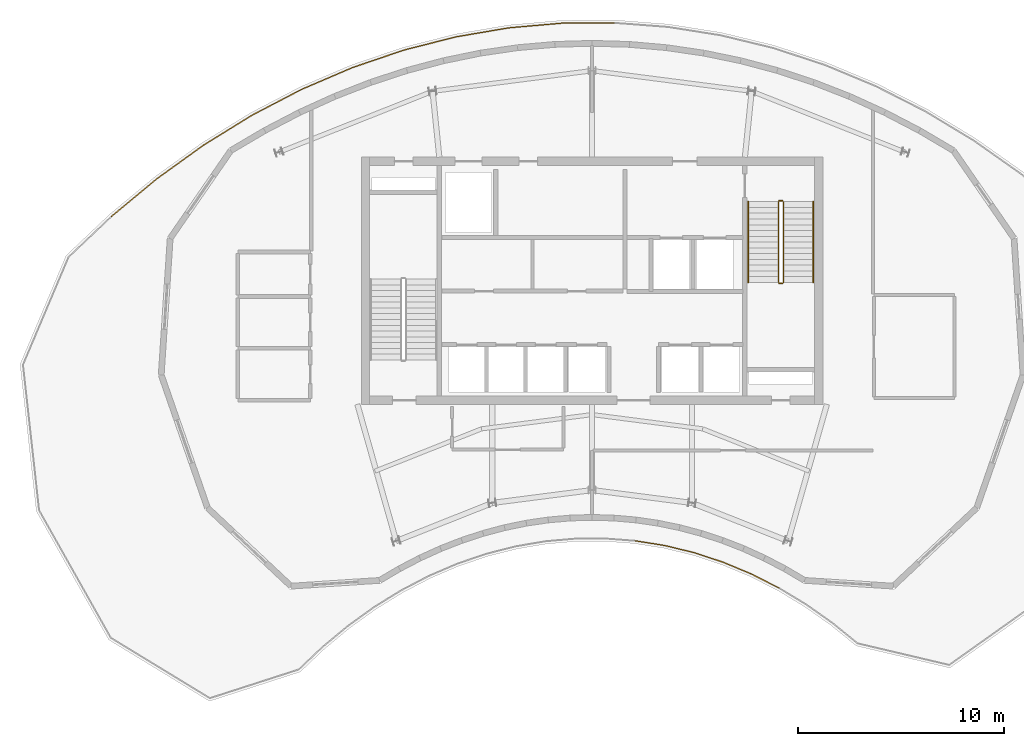
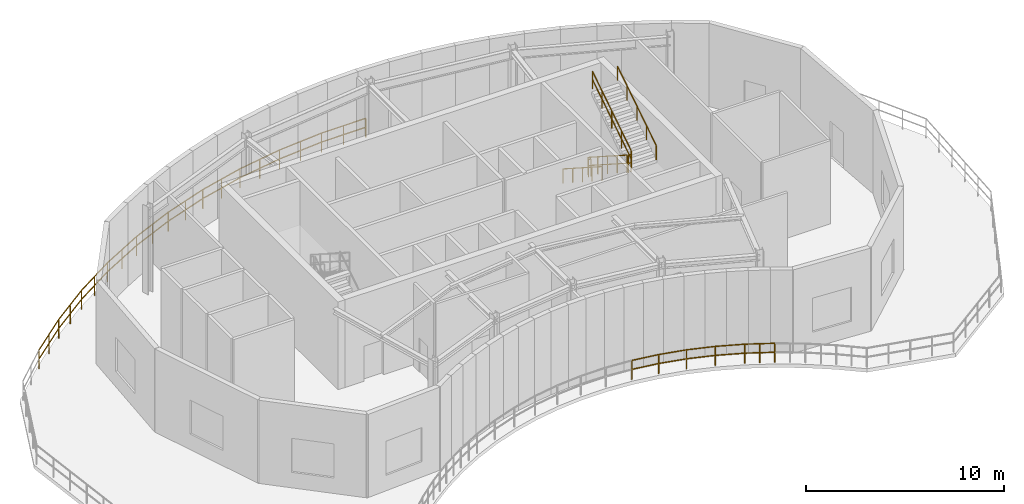
# One storey, part 7 of 8: 8 railings.
"""IFC4 building model written with IfcOpenShell, lengths in metres."""

from ifc_helpers import new_model, si_unit, direction, frame, origin, origin_2d, place, context, subcontext, project, spatial, rectangle, extrude, material, type_object, element, save


model = new_model("IFC4")

# Units and contexts
model_context = context("Model", 3, precision=1e-05, world=origin(), true_north=direction((0.0, 1.0)))
body_context = subcontext(model_context, "Body", "Model", "MODEL_VIEW")
ifc_project = project(units=[si_unit("LENGTHUNIT", "METRE"), si_unit("AREAUNIT", "SQUARE_METRE"), si_unit("VOLUMEUNIT", "CUBIC_METRE"), si_unit("PLANEANGLEUNIT", "RADIAN"), si_unit("MASSUNIT", "GRAM", prefix="KILO")], contexts=[model_context])

# Site, building, storey
site_placement = place(None, origin())
site = spatial("IfcSite", under=ifc_project, at=site_placement, CompositionType="ELEMENT")
building_placement = place(site_placement, origin())
building = spatial("IfcBuilding", under=site, at=building_placement, Name="Breltana Convention Tower", CompositionType="ELEMENT")
storey_placement = place(building_placement, frame((0.0, 0.0, 312.60009765625)))
storey = spatial("IfcBuildingStorey", under=building, at=storey_placement, Name="L76", CompositionType="ELEMENT", Elevation=312.60009765625)

# Railings
ifc_material_1 = material(Name="Stainless Steel 316L", Category="steel")
railing_type_1 = type_object("IfcRailingType", Name="RL-LOOKOUT-1200", PredefinedType="BALUSTRADE", material=ifc_material_1)
railing_1_placement = place(storey_placement, frame((57.084716796875, 51.27490234375, 0.0)))
element("IfcRailing", 1, at=railing_1_placement, inside=storey, type_object=railing_type_1, Name="L76 perimeter balustrade 2", PredefinedType="BALUSTRADE", context=body_context, shape_type="SweptSolid", body=[
    extrude(rectangle(XDim=0.048095703125, YDim=0.048095703125, at=origin_2d()), frame((0.0, 0.0, 1.17578125), z_axis=(-0.879706513576, 0.475517034365, 0.0), x_axis=(-0.475517034365, -0.879706513576, 0.0)), (0.0, 0.0, 1.0), 0.01025390625),
    extrude(rectangle(XDim=0.048095703125, YDim=0.048095703125, at=origin_2d()), frame((0.0, 0.0, 0.6240234375), z_axis=(-0.879706513576, 0.475517034365, 0.0), x_axis=(-0.475517034365, -0.879706513576, 0.0)), (0.0, 0.0, 1.0), 0.01025390625),
    extrude(rectangle(XDim=0.048095703125, YDim=0.048095703125, at=origin_2d()), frame((-0.009033203125, 0.0048828125, 1.17578125), z_axis=(-0.891757205906, 0.452514182888, 0.0), x_axis=(-0.452514182888, -0.891757205906, 0.0)), (0.0, 0.0, 1.0), 1.508544921875),
    extrude(rectangle(XDim=0.048095703125, YDim=0.048095703125, at=origin_2d()), frame((-0.009033203125, 0.0048828125, 0.6240234375), z_axis=(-0.891757205906, 0.452514182888, 0.0), x_axis=(-0.452514182888, -0.891757205906, 0.0)), (0.0, 0.0, 1.0), 1.508544921875),
    extrude(rectangle(XDim=0.048095703125, YDim=0.048095703125, at=origin_2d()), frame((-1.354248046875, 0.6875, 1.17578125), z_axis=(-0.898989868837, 0.43796942328, 0.0), x_axis=(-0.43796942328, -0.898989868837, 0.0)), (0.0, 0.0, 1.0), 0.010498046875),
    extrude(rectangle(XDim=0.048095703125, YDim=0.048095703125, at=origin_2d()), frame((-1.354248046875, 0.6875, 0.6240234375), z_axis=(-0.898989868837, 0.43796942328, 0.0), x_axis=(-0.43796942328, -0.898989868837, 0.0)), (0.0, 0.0, 1.0), 0.010498046875),
    extrude(rectangle(XDim=0.048095703125, YDim=0.048095703125, at=origin_2d()), frame((-1.36376953125, 0.692138671875, 1.17578125), z_axis=(-0.923261314935, 0.384172545017, 0.0), x_axis=(-0.384172545017, -0.923261314935, 0.0)), (0.0, 0.0, 1.0), 1.48779296875),
    extrude(rectangle(XDim=0.048095703125, YDim=0.048095703125, at=origin_2d()), frame((-1.36376953125, 0.692138671875, 0.6240234375), z_axis=(-0.923261314935, 0.384172545017, 0.0), x_axis=(-0.384172545017, -0.923261314935, 0.0)), (0.0, 0.0, 1.0), 1.48779296875),
    extrude(rectangle(XDim=0.048095703125, YDim=0.048095703125, at=origin_2d()), frame((-2.7373046875, 1.263671875, 1.17578125), z_axis=(-0.941741911595, 0.336336396998, 0.0), x_axis=(-0.336336396998, -0.941741911595, 0.0)), (0.0, 0.0, 1.0), 0.010986328125),
    extrude(rectangle(XDim=0.048095703125, YDim=0.048095703125, at=origin_2d()), frame((-2.7373046875, 1.263671875, 0.6240234375), z_axis=(-0.941741911595, 0.336336396998, 0.0), x_axis=(-0.336336396998, -0.941741911595, 0.0)), (0.0, 0.0, 1.0), 0.010986328125),
    extrude(rectangle(XDim=0.048095703125, YDim=0.048095703125, at=origin_2d()), frame((-2.74755859375, 1.267333984375, 1.17578125), z_axis=(-0.950199722622, 0.311641600448, 0.0), x_axis=(-0.311641600448, -0.950199722622, 0.0)), (0.0, 0.0, 1.0), 1.470458984375),
    extrude(rectangle(XDim=0.048095703125, YDim=0.048095703125, at=origin_2d()), frame((-2.74755859375, 1.267333984375, 0.6240234375), z_axis=(-0.950199722622, 0.311641600448, 0.0), x_axis=(-0.311641600448, -0.950199722622, 0.0)), (0.0, 0.0, 1.0), 1.470458984375),
    extrude(rectangle(XDim=0.048095703125, YDim=0.048095703125, at=origin_2d()), frame((-4.144775390625, 1.7255859375, 1.17578125), z_axis=(-0.964763821238, 0.263117405792, 0.0), x_axis=(-0.263117405792, -0.964763821238, 0.0)), (0.0, 0.0, 1.0), 0.01123046875),
    extrude(rectangle(XDim=0.048095703125, YDim=0.048095703125, at=origin_2d()), frame((-4.144775390625, 1.7255859375, 0.6240234375), z_axis=(-0.964763821238, 0.263117405792, 0.0), x_axis=(-0.263117405792, -0.964763821238, 0.0)), (0.0, 0.0, 1.0), 0.01123046875),
    extrude(rectangle(XDim=0.048095703125, YDim=0.048095703125, at=origin_2d()), frame((-4.155517578125, 1.728515625, 1.17578125), z_axis=(-0.971862899691, 0.235547244103, 0.0), x_axis=(-0.235547244103, -0.971862899691, 0.0)), (0.0, 0.0, 1.0), 1.456298828125),
    extrude(rectangle(XDim=0.048095703125, YDim=0.048095703125, at=origin_2d()), frame((-4.155517578125, 1.728515625, 0.6240234375), z_axis=(-0.971862899691, 0.235547244103, 0.0), x_axis=(-0.235547244103, -0.971862899691, 0.0)), (0.0, 0.0, 1.0), 1.456298828125),
    extrude(rectangle(XDim=0.048095703125, YDim=0.048095703125, at=origin_2d()), frame((-5.57080078125, 2.071533203125, 1.17578125), z_axis=(-0.98139265486, 0.192011606386, 0.0), x_axis=(-0.192011606386, -0.98139265486, 0.0)), (0.0, 0.0, 1.0), 0.011474609375),
    extrude(rectangle(XDim=0.048095703125, YDim=0.048095703125, at=origin_2d()), frame((-5.57080078125, 2.071533203125, 0.6240234375), z_axis=(-0.98139265486, 0.192011606386, 0.0), x_axis=(-0.192011606386, -0.98139265486, 0.0)), (0.0, 0.0, 1.0), 0.011474609375),
    extrude(rectangle(XDim=0.048095703125, YDim=0.048095703125, at=origin_2d()), frame((-5.58203125, 2.07373046875, 1.17578125), z_axis=(-0.987650460941, 0.156673440642, 0.0), x_axis=(-0.156673440642, -0.987650460941, 0.0)), (0.0, 0.0, 1.0), 1.446044921875),
    extrude(rectangle(XDim=0.048095703125, YDim=0.048095703125, at=origin_2d()), frame((-5.58203125, 2.07373046875, 0.6240234375), z_axis=(-0.987650460941, 0.156673440642, 0.0), x_axis=(-0.156673440642, -0.987650460941, 0.0)), (0.0, 0.0, 1.0), 1.446044921875),
    extrude(rectangle(XDim=0.0419921875, YDim=0.0419921875, at=origin_2d()), origin(), (0.0, 0.0, 1.0), 1.15185546875),
    extrude(rectangle(XDim=0.0419921875, YDim=0.0419921875, at=origin_2d()), frame((-0.009033203125, 0.0048828125, 0.0)), (0.0, 0.0, 1.0), 1.15185546875),
    extrude(rectangle(XDim=0.0419921875, YDim=0.0419921875, at=origin_2d()), frame((-0.681640625, 0.34619140625, 0.0)), (0.0, 0.0, 1.0), 1.15185546875),
    extrude(rectangle(XDim=0.0419921875, YDim=0.0419921875, at=origin_2d()), frame((-1.354248046875, 0.6875, 0.0)), (0.0, 0.0, 1.0), 1.15185546875),
    extrude(rectangle(XDim=0.0419921875, YDim=0.0419921875, at=origin_2d()), frame((-1.36376953125, 0.692138671875, 0.0)), (0.0, 0.0, 1.0), 1.15185546875),
    extrude(rectangle(XDim=0.0419921875, YDim=0.0419921875, at=origin_2d()), frame((-2.7373046875, 1.263671875, 0.0)), (0.0, 0.0, 1.0), 1.15185546875),
    extrude(rectangle(XDim=0.0419921875, YDim=0.0419921875, at=origin_2d()), frame((-2.74755859375, 1.267333984375, 0.0)), (0.0, 0.0, 1.0), 1.15185546875),
    extrude(rectangle(XDim=0.0419921875, YDim=0.0419921875, at=origin_2d()), frame((-4.144775390625, 1.7255859375, 0.0)), (0.0, 0.0, 1.0), 1.15185546875),
    extrude(rectangle(XDim=0.0419921875, YDim=0.0419921875, at=origin_2d()), frame((-4.155517578125, 1.728515625, 0.0)), (0.0, 0.0, 1.0), 1.15185546875),
    extrude(rectangle(XDim=0.0419921875, YDim=0.0419921875, at=origin_2d()), frame((-5.57080078125, 2.071533203125, 0.0)), (0.0, 0.0, 1.0), 1.15185546875),
    extrude(rectangle(XDim=0.0419921875, YDim=0.0419921875, at=origin_2d()), frame((-5.58203125, 2.07373046875, 0.0)), (0.0, 0.0, 1.0), 1.15185546875),
    extrude(rectangle(XDim=0.0419921875, YDim=0.0419921875, at=origin_2d()), frame((-7.01025390625, 2.30029296875, 0.0)), (0.0, 0.0, 1.0), 1.15185546875),
])
railing_2_placement = place(storey_placement, frame((24.6630859375, 69.3291015625, 0.0)))
element("IfcRailing", 2, at=railing_2_placement, inside=storey, type_object=railing_type_1, Name="L76 perimeter balustrade 6", PredefinedType="BALUSTRADE", context=body_context, shape_type="SweptSolid", body=[
    extrude(rectangle(XDim=0.048095703125, YDim=0.048095703125, at=origin_2d()), frame((0.0, 0.0, 1.17578125), z_axis=(0.769768209466, 0.638323510216, 0.0), x_axis=(-0.638323510216, 0.769768209466, 0.0)), (0.0, 0.0, 1.0), 2.854736328125),
    extrude(rectangle(XDim=0.048095703125, YDim=0.048095703125, at=origin_2d()), frame((0.0, 0.0, 0.6240234375), z_axis=(0.769768209466, 0.638323510216, 0.0), x_axis=(-0.638323510216, 0.769768209466, 0.0)), (0.0, 0.0, 1.0), 2.854736328125),
    extrude(rectangle(XDim=0.048095703125, YDim=0.048095703125, at=origin_2d()), frame((2.197509765625, 1.822265625, 1.17578125), z_axis=(0.81155745603, 0.584272620924, 0.0), x_axis=(-0.584272620924, 0.81155745603, 0.0)), (0.0, 0.0, 1.0), 2.8046875),
    extrude(rectangle(XDim=0.048095703125, YDim=0.048095703125, at=origin_2d()), frame((2.197509765625, 1.822265625, 0.6240234375), z_axis=(0.81155745603, 0.584272620924, 0.0), x_axis=(-0.584272620924, 0.81155745603, 0.0)), (0.0, 0.0, 1.0), 2.8046875),
    extrude(rectangle(XDim=0.048095703125, YDim=0.048095703125, at=origin_2d()), frame((4.4736328125, 3.4609375, 1.17578125), z_axis=(0.850757246465, 0.52555885264, 0.0), x_axis=(-0.52555885264, 0.850757246465, 0.0)), (0.0, 0.0, 1.0), 2.757568359375),
    extrude(rectangle(XDim=0.048095703125, YDim=0.048095703125, at=origin_2d()), frame((4.4736328125, 3.4609375, 0.6240234375), z_axis=(0.850757246465, 0.52555885264, 0.0), x_axis=(-0.52555885264, 0.850757246465, 0.0)), (0.0, 0.0, 1.0), 2.757568359375),
    extrude(rectangle(XDim=0.048095703125, YDim=0.048095703125, at=origin_2d()), frame((6.819580078125, 4.91015625, 1.17578125), z_axis=(0.886818873361, 0.462117177619, 0.0), x_axis=(-0.462117177619, 0.886818873361, 0.0)), (0.0, 0.0, 1.0), 2.71435546875),
    extrude(rectangle(XDim=0.048095703125, YDim=0.048095703125, at=origin_2d()), frame((6.819580078125, 4.91015625, 0.6240234375), z_axis=(0.886818873361, 0.462117177619, 0.0), x_axis=(-0.462117177619, 0.886818873361, 0.0)), (0.0, 0.0, 1.0), 2.71435546875),
    extrude(rectangle(XDim=0.048095703125, YDim=0.048095703125, at=origin_2d()), frame((9.226806640625, 6.16455078125, 1.17578125), z_axis=(0.919027022056, 0.394194536659, 0.0), x_axis=(-0.394194536659, 0.919027022056, 0.0)), (0.0, 0.0, 1.0), 2.67626953125),
    extrude(rectangle(XDim=0.048095703125, YDim=0.048095703125, at=origin_2d()), frame((9.226806640625, 6.16455078125, 0.6240234375), z_axis=(0.919027022056, 0.394194536659, 0.0), x_axis=(-0.394194536659, 0.919027022056, 0.0)), (0.0, 0.0, 1.0), 2.67626953125),
    extrude(rectangle(XDim=0.048095703125, YDim=0.048095703125, at=origin_2d()), frame((11.686279296875, 7.219482421875, 1.17578125), z_axis=(0.946669685312, 0.322205690377, 0.0), x_axis=(-0.322205690377, 0.946669685312, 0.0)), (0.0, 0.0, 1.0), 2.6435546875),
    extrude(rectangle(XDim=0.048095703125, YDim=0.048095703125, at=origin_2d()), frame((11.686279296875, 7.219482421875, 0.6240234375), z_axis=(0.946669685312, 0.322205690377, 0.0), x_axis=(-0.322205690377, 0.946669685312, 0.0)), (0.0, 0.0, 1.0), 2.6435546875),
    extrude(rectangle(XDim=0.048095703125, YDim=0.048095703125, at=origin_2d()), frame((14.18896484375, 8.0712890625, 1.17578125), z_axis=(0.969130007412, 0.246550256001, 0.0), x_axis=(-0.246550256001, 0.969130007412, 0.0)), (0.0, 0.0, 1.0), 2.6171875),
    extrude(rectangle(XDim=0.048095703125, YDim=0.048095703125, at=origin_2d()), frame((14.18896484375, 8.0712890625, 0.6240234375), z_axis=(0.969130007412, 0.246550256001, 0.0), x_axis=(-0.246550256001, 0.969130007412, 0.0)), (0.0, 0.0, 1.0), 2.6171875),
    extrude(rectangle(XDim=0.048095703125, YDim=0.048095703125, at=origin_2d()), frame((16.725341796875, 8.716552734375, 1.17578125), z_axis=(0.98578012387, 0.168040314756, 0.0), x_axis=(-0.168040314756, 0.98578012387, 0.0)), (0.0, 0.0, 1.0), 2.59765625),
    extrude(rectangle(XDim=0.048095703125, YDim=0.048095703125, at=origin_2d()), frame((16.725341796875, 8.716552734375, 0.6240234375), z_axis=(0.98578012387, 0.168040314756, 0.0), x_axis=(-0.168040314756, 0.98578012387, 0.0)), (0.0, 0.0, 1.0), 2.59765625),
    extrude(rectangle(XDim=0.048095703125, YDim=0.048095703125, at=origin_2d()), frame((19.2861328125, 9.153076171875, 1.17578125), z_axis=(0.996170108085, 0.087436352615, 0.0), x_axis=(-0.087436352615, 0.996170108085, 0.0)), (0.0, 0.0, 1.0), 2.585693359375),
    extrude(rectangle(XDim=0.048095703125, YDim=0.048095703125, at=origin_2d()), frame((19.2861328125, 9.153076171875, 0.6240234375), z_axis=(0.996170108085, 0.087436352615, 0.0), x_axis=(-0.087436352615, 0.996170108085, 0.0)), (0.0, 0.0, 1.0), 2.585693359375),
    extrude(rectangle(XDim=0.048095703125, YDim=0.048095703125, at=origin_2d()), frame((21.86181640625, 9.379150390625, 1.17578125), z_axis=(0.999982807235, 0.005863892372, 0.0), x_axis=(-0.005863892372, 0.999982807235, 0.0)), (0.0, 0.0, 1.0), 2.581298828125),
    extrude(rectangle(XDim=0.048095703125, YDim=0.048095703125, at=origin_2d()), frame((21.86181640625, 9.379150390625, 0.6240234375), z_axis=(0.999982807235, 0.005863892372, 0.0), x_axis=(-0.005863892372, 0.999982807235, 0.0)), (0.0, 0.0, 1.0), 2.581298828125),
    extrude(rectangle(XDim=0.0419921875, YDim=0.0419921875, at=origin_2d()), origin(), (0.0, 0.0, 1.0), 1.15185546875),
    extrude(rectangle(XDim=0.0419921875, YDim=0.0419921875, at=origin_2d()), frame((1.0986328125, 0.9111328125, 0.0)), (0.0, 0.0, 1.0), 1.15185546875),
    extrude(rectangle(XDim=0.0419921875, YDim=0.0419921875, at=origin_2d()), frame((2.197509765625, 1.822265625, 0.0)), (0.0, 0.0, 1.0), 1.15185546875),
    extrude(rectangle(XDim=0.0419921875, YDim=0.0419921875, at=origin_2d()), frame((3.33544921875, 2.6416015625, 0.0)), (0.0, 0.0, 1.0), 1.15185546875),
    extrude(rectangle(XDim=0.0419921875, YDim=0.0419921875, at=origin_2d()), frame((4.4736328125, 3.4609375, 0.0)), (0.0, 0.0, 1.0), 1.15185546875),
    extrude(rectangle(XDim=0.0419921875, YDim=0.0419921875, at=origin_2d()), frame((5.646484375, 4.185546875, 0.0)), (0.0, 0.0, 1.0), 1.15185546875),
    extrude(rectangle(XDim=0.0419921875, YDim=0.0419921875, at=origin_2d()), frame((6.819580078125, 4.91015625, 0.0)), (0.0, 0.0, 1.0), 1.15185546875),
    extrude(rectangle(XDim=0.0419921875, YDim=0.0419921875, at=origin_2d()), frame((8.023193359375, 5.537353515625, 0.0)), (0.0, 0.0, 1.0), 1.15185546875),
    extrude(rectangle(XDim=0.0419921875, YDim=0.0419921875, at=origin_2d()), frame((9.226806640625, 6.16455078125, 0.0)), (0.0, 0.0, 1.0), 1.15185546875),
    extrude(rectangle(XDim=0.0419921875, YDim=0.0419921875, at=origin_2d()), frame((10.45654296875, 6.69189453125, 0.0)), (0.0, 0.0, 1.0), 1.15185546875),
    extrude(rectangle(XDim=0.0419921875, YDim=0.0419921875, at=origin_2d()), frame((11.686279296875, 7.219482421875, 0.0)), (0.0, 0.0, 1.0), 1.15185546875),
    extrude(rectangle(XDim=0.0419921875, YDim=0.0419921875, at=origin_2d()), frame((12.9375, 7.6455078125, 0.0)), (0.0, 0.0, 1.0), 1.15185546875),
    extrude(rectangle(XDim=0.0419921875, YDim=0.0419921875, at=origin_2d()), frame((14.18896484375, 8.0712890625, 0.0)), (0.0, 0.0, 1.0), 1.15185546875),
    extrude(rectangle(XDim=0.0419921875, YDim=0.0419921875, at=origin_2d()), frame((15.45703125, 8.39404296875, 0.0)), (0.0, 0.0, 1.0), 1.15185546875),
    extrude(rectangle(XDim=0.0419921875, YDim=0.0419921875, at=origin_2d()), frame((16.725341796875, 8.716552734375, 0.0)), (0.0, 0.0, 1.0), 1.15185546875),
    extrude(rectangle(XDim=0.0419921875, YDim=0.0419921875, at=origin_2d()), frame((18.005859375, 8.934814453125, 0.0)), (0.0, 0.0, 1.0), 1.15185546875),
    extrude(rectangle(XDim=0.0419921875, YDim=0.0419921875, at=origin_2d()), frame((19.2861328125, 9.153076171875, 0.0)), (0.0, 0.0, 1.0), 1.15185546875),
    extrude(rectangle(XDim=0.0419921875, YDim=0.0419921875, at=origin_2d()), frame((20.573974609375, 9.26611328125, 0.0)), (0.0, 0.0, 1.0), 1.15185546875),
    extrude(rectangle(XDim=0.0419921875, YDim=0.0419921875, at=origin_2d()), frame((21.86181640625, 9.379150390625, 0.0)), (0.0, 0.0, 1.0), 1.15185546875),
    extrude(rectangle(XDim=0.0419921875, YDim=0.0419921875, at=origin_2d()), frame((23.15234375, 9.38671875, 0.0)), (0.0, 0.0, 1.0), 1.15185546875),
    extrude(rectangle(XDim=0.0419921875, YDim=0.0419921875, at=origin_2d()), frame((24.443115234375, 9.394287109375, 0.0)), (0.0, 0.0, 1.0), 1.15185546875),
])
ifc_material_2 = material(Name="Steel S275 Painted", Category="steel")
railing_type_2 = type_object("IfcRailingType", Name="RL-STAIR-GUARD-1100", PredefinedType="GUARDRAIL", material=ifc_material_2)
railing_3_placement = place(storey_placement, frame((57.0400390625, 70.0400390625, 0.179931640625)))
element("IfcRailing", 3, at=railing_3_placement, inside=storey, type_object=railing_type_2, Name="L76 ST-2 stair guard 1", PredefinedType="GUARDRAIL", context=body_context, shape_type="SweptSolid", body=[
    extrude(rectangle(XDim=0.048095703125, YDim=0.048095703125, at=origin_2d()), frame((0.0, 0.0, 1.076171875), z_axis=(0.0, -0.841171666519, 0.540768182723), x_axis=(1.0, 0.0, 0.0)), (0.0, 0.0, 1.0), 4.66015625),
    extrude(rectangle(XDim=0.048095703125, YDim=0.048095703125, at=origin_2d()), frame((0.0, 0.0, 0.572021484375), z_axis=(0.0, -0.841171666519, 0.540768182723), x_axis=(1.0, 0.0, 0.0)), (0.0, 0.0, 1.0), 4.66015625),
    extrude(rectangle(XDim=0.0419921875, YDim=0.0419921875, at=origin_2d()), origin(), (0.0, 0.0, 1.0), 1.052001953125),
    extrude(rectangle(XDim=0.0419921875, YDim=0.0419921875, at=origin_2d()), frame((0.0, -0.97998046875, 0.6298828125)), (0.0, 0.0, 1.0), 1.052001953125),
    extrude(rectangle(XDim=0.0419921875, YDim=0.0419921875, at=origin_2d()), frame((0.0, -1.9599609375, 1.260009765625)), (0.0, 0.0, 1.0), 1.052001953125),
    extrude(rectangle(XDim=0.0419921875, YDim=0.0419921875, at=origin_2d()), frame((0.0, -2.93994140625, 1.89013671875)), (0.0, 0.0, 1.0), 1.052001953125),
    extrude(rectangle(XDim=0.0419921875, YDim=0.0419921875, at=origin_2d()), frame((0.0, -3.919921875, 2.52001953125)), (0.0, 0.0, 1.0), 1.052001953125),
])
railing_4_placement = place(storey_placement, frame((57.090087890625, 66.070068359375, 2.699951171875)))
element("IfcRailing", 4, at=railing_4_placement, inside=storey, type_object=railing_type_2, Name="L76 ST-2 stair guard 2", PredefinedType="GUARDRAIL", context=body_context, shape_type="SweptSolid", body=[
    extrude(rectangle(XDim=0.048095703125, YDim=0.048095703125, at=origin_2d()), frame((0.0, 0.0, 1.076171875), z_axis=(1.0, 0.0, 0.0), x_axis=(0.0, 1.0, 0.0)), (0.0, 0.0, 1.0), 0.14990234375),
    extrude(rectangle(XDim=0.048095703125, YDim=0.048095703125, at=origin_2d()), frame((0.0, 0.0, 0.572021484375), z_axis=(1.0, 0.0, 0.0), x_axis=(0.0, 1.0, 0.0)), (0.0, 0.0, 1.0), 0.14990234375),
    extrude(rectangle(XDim=0.0419921875, YDim=0.0419921875, at=origin_2d()), origin(), (0.0, 0.0, 1.0), 1.052001953125),
    extrude(rectangle(XDim=0.0419921875, YDim=0.0419921875, at=origin_2d()), frame((0.14990234375, 0.0, 0.0)), (0.0, 0.0, 1.0), 1.052001953125),
])
railing_5_placement = place(storey_placement, frame((57.2900390625, 66.1201171875, 2.8798828125)))
element("IfcRailing", 5, at=railing_5_placement, inside=storey, type_object=railing_type_2, Name="L76 ST-2 stair guard 3", PredefinedType="GUARDRAIL", context=body_context, shape_type="SweptSolid", body=[
    extrude(rectangle(XDim=0.048095703125, YDim=0.048095703125, at=origin_2d()), frame((0.0, 0.0, 1.076171875), z_axis=(0.0, 0.841171666519, 0.540768182723), x_axis=(-1.0, 0.0, 0.0)), (0.0, 0.0, 1.0), 4.66015625),
    extrude(rectangle(XDim=0.048095703125, YDim=0.048095703125, at=origin_2d()), frame((0.0, 0.0, 0.572021484375), z_axis=(0.0, 0.841171666519, 0.540768182723), x_axis=(-1.0, 0.0, 0.0)), (0.0, 0.0, 1.0), 4.66015625),
    extrude(rectangle(XDim=0.0419921875, YDim=0.0419921875, at=origin_2d()), origin(), (0.0, 0.0, 1.0), 1.052001953125),
    extrude(rectangle(XDim=0.0419921875, YDim=0.0419921875, at=origin_2d()), frame((0.0, 0.97998046875, 0.6298828125)), (0.0, 0.0, 1.0), 1.052001953125),
    extrude(rectangle(XDim=0.0419921875, YDim=0.0419921875, at=origin_2d()), frame((0.0, 1.9599609375, 1.260009765625)), (0.0, 0.0, 1.0), 1.052001953125),
    extrude(rectangle(XDim=0.0419921875, YDim=0.0419921875, at=origin_2d()), frame((0.0, 2.93994140625, 1.89013671875)), (0.0, 0.0, 1.0), 1.052001953125),
    extrude(rectangle(XDim=0.0419921875, YDim=0.0419921875, at=origin_2d()), frame((0.0, 3.919921875, 2.52001953125)), (0.0, 0.0, 1.0), 1.052001953125),
])
railing_6_placement = place(storey_placement, frame((57.090087890625, 70.090087890625, 0.0)))
element("IfcRailing", 6, at=railing_6_placement, inside=storey, type_object=railing_type_2, Name="L76 ST-2 stair guard 4", PredefinedType="GUARDRAIL", context=body_context, shape_type="SweptSolid", body=[
    extrude(rectangle(XDim=0.048095703125, YDim=0.048095703125, at=origin_2d()), frame((0.0, 0.0, 1.076171875), z_axis=(1.0, 0.0, 0.0), x_axis=(0.0, 1.0, 0.0)), (0.0, 0.0, 1.0), 0.14990234375),
    extrude(rectangle(XDim=0.048095703125, YDim=0.048095703125, at=origin_2d()), frame((0.0, 0.0, 0.572021484375), z_axis=(1.0, 0.0, 0.0), x_axis=(0.0, 1.0, 0.0)), (0.0, 0.0, 1.0), 0.14990234375),
    extrude(rectangle(XDim=0.0419921875, YDim=0.0419921875, at=origin_2d()), origin(), (0.0, 0.0, 1.0), 1.052001953125),
    extrude(rectangle(XDim=0.0419921875, YDim=0.0419921875, at=origin_2d()), frame((0.14990234375, 0.0, 0.0)), (0.0, 0.0, 1.0), 1.052001953125),
])
railing_type_3 = type_object("IfcRailingType", Name="RL-STAIR-HANDRAIL-900", PredefinedType="HANDRAIL", material=ifc_material_1)
railing_7_placement = place(storey_placement, frame((55.580078125, 70.0400390625, 0.179931640625)))
element("IfcRailing", 7, at=railing_7_placement, inside=storey, type_object=railing_type_3, Name="L76 ST-2 stair handrail 1", PredefinedType="HANDRAIL", context=body_context, shape_type="SweptSolid", body=[
    extrude(rectangle(XDim=0.048095703125, YDim=0.048095703125, at=origin_2d()), frame((0.0, 0.0, 0.8759765625), z_axis=(0.0, -0.841171666519, 0.540768182723), x_axis=(1.0, 0.0, 0.0)), (0.0, 0.0, 1.0), 4.66015625),
    extrude(rectangle(XDim=0.0419921875, YDim=0.0419921875, at=origin_2d()), origin(), (0.0, 0.0, 1.0), 0.851806640625),
    extrude(rectangle(XDim=0.0419921875, YDim=0.0419921875, at=origin_2d()), frame((0.0, -0.97998046875, 0.6298828125)), (0.0, 0.0, 1.0), 0.851806640625),
    extrude(rectangle(XDim=0.0419921875, YDim=0.0419921875, at=origin_2d()), frame((0.0, -1.9599609375, 1.260009765625)), (0.0, 0.0, 1.0), 0.851806640625),
    extrude(rectangle(XDim=0.0419921875, YDim=0.0419921875, at=origin_2d()), frame((0.0, -2.93994140625, 1.89013671875)), (0.0, 0.0, 1.0), 0.851806640625),
    extrude(rectangle(XDim=0.0419921875, YDim=0.0419921875, at=origin_2d()), frame((0.0, -3.919921875, 2.52001953125)), (0.0, 0.0, 1.0), 0.851806640625),
])
railing_8_placement = place(storey_placement, frame((58.75, 66.1201171875, 2.8798828125)))
element("IfcRailing", 8, at=railing_8_placement, inside=storey, type_object=railing_type_3, Name="L76 ST-2 stair handrail 2", PredefinedType="HANDRAIL", context=body_context, shape_type="SweptSolid", body=[
    extrude(rectangle(XDim=0.048095703125, YDim=0.048095703125, at=origin_2d()), frame((0.0, 0.0, 0.8759765625), z_axis=(0.0, 0.841171666519, 0.540768182723), x_axis=(-1.0, 0.0, 0.0)), (0.0, 0.0, 1.0), 4.66015625),
    extrude(rectangle(XDim=0.0419921875, YDim=0.0419921875, at=origin_2d()), origin(), (0.0, 0.0, 1.0), 0.851806640625),
    extrude(rectangle(XDim=0.0419921875, YDim=0.0419921875, at=origin_2d()), frame((0.0, 0.97998046875, 0.6298828125)), (0.0, 0.0, 1.0), 0.851806640625),
    extrude(rectangle(XDim=0.0419921875, YDim=0.0419921875, at=origin_2d()), frame((0.0, 1.9599609375, 1.260009765625)), (0.0, 0.0, 1.0), 0.851806640625),
    extrude(rectangle(XDim=0.0419921875, YDim=0.0419921875, at=origin_2d()), frame((0.0, 2.93994140625, 1.89013671875)), (0.0, 0.0, 1.0), 0.851806640625),
    extrude(rectangle(XDim=0.0419921875, YDim=0.0419921875, at=origin_2d()), frame((0.0, 3.919921875, 2.52001953125)), (0.0, 0.0, 1.0), 0.851806640625),
])

save(model, "model.ifc")
